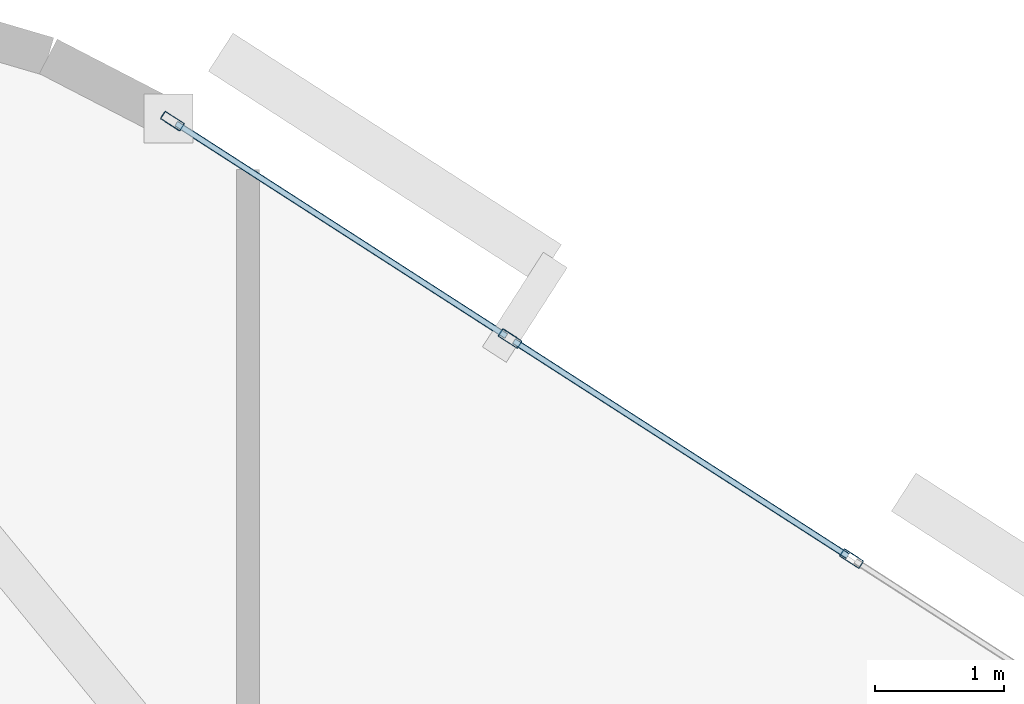
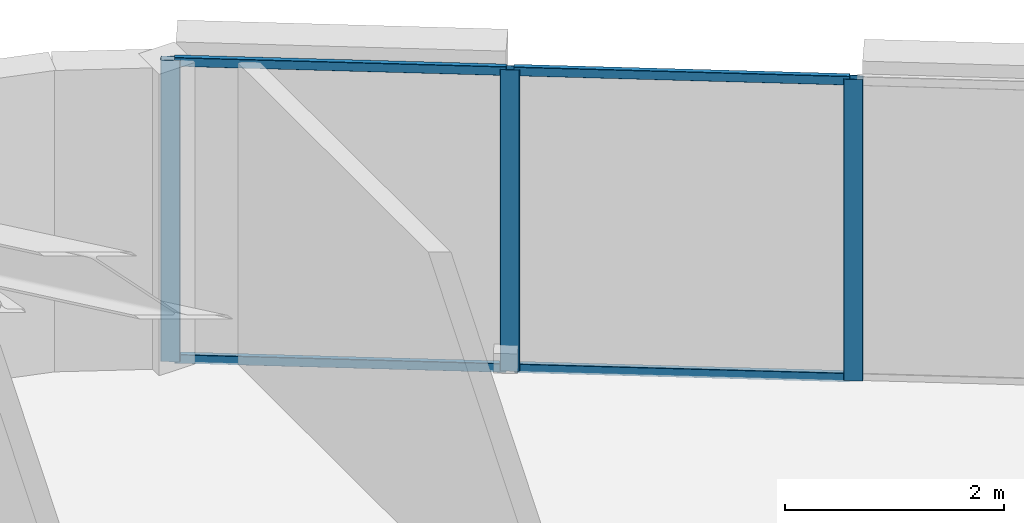
# One storey, part 8 of 15: 7 members, 1 element without a shape of its own.
"""IFC4 building model written with IfcOpenShell, lengths in metres."""

from ifc_helpers import new_model, si_unit, direction, frame, origin, origin_2d, place, context, subcontext, project, spatial, hollow_rectangle, extrude, material, layer, layer_set, material_profile, profile_set, type_object, element, aggregate, save


model = new_model("IFC4")

# Units and contexts
model_context = context("Model", 3, precision=1e-05, world=origin(), true_north=direction((0.0, 1.0)))
body_context = subcontext(model_context, "Body", "Model", "MODEL_VIEW")
ifc_project = project(units=[si_unit("LENGTHUNIT", "METRE"), si_unit("AREAUNIT", "SQUARE_METRE"), si_unit("VOLUMEUNIT", "CUBIC_METRE"), si_unit("PLANEANGLEUNIT", "RADIAN"), si_unit("MASSUNIT", "GRAM", prefix="KILO")], contexts=[model_context])

# Site, building, storey
site_placement = place(None, origin())
site = spatial("IfcSite", under=ifc_project, at=site_placement, CompositionType="ELEMENT")
building_placement = place(site_placement, origin())
building = spatial("IfcBuilding", under=site, at=building_placement, Name="An Khanh Terracotta Commons", CompositionType="ELEMENT")
storey_placement = place(building_placement, frame((0.0, 0.0, 187.0)))
storey = spatial("IfcBuildingStorey", under=building, at=storey_placement, Name="L49", CompositionType="ELEMENT", Elevation=187.0)

# Curtain wall, members
ifc_material = material(Name="Anodised Aluminium 6063-T6", Category="aluminium")
ifc_layer = layer(ifc_material, 0.2099609375, Name="Anodised Aluminium 6063-T6")
ifc_layer_set = layer_set([ifc_layer], Name="Anodised Aluminium 6063-T6")
curtain_wall_type = type_object("IfcCurtainWallType", Name="CW-SYS-03", PredefinedType="USERDEFINED", material=ifc_layer_set)
curtain_wall_placement = place(storey_placement, origin())
curtain_wall = element("IfcCurtainWall", 1, at=curtain_wall_placement, inside=storey, type_object=curtain_wall_type, Name="L49 CW-03 Unitised Curtain Wall CW-L49-16", ObjectType="UNITISED CURTAIN WALL", PredefinedType="USERDEFINED")
ifc_material_profile_1 = material_profile(ifc_material, hollow_rectangle(XDim=0.070068359375, YDim=0.179931640625, WallThickness=0.00390625, InnerFilletRadius=0.00390625, OuterFilletRadius=0.008056640625, at=origin_2d()), Name="RHS180x70x4")
ifc_profile_set_1 = profile_set([ifc_material_profile_1], Name="Anodised Aluminium 6063-T6")
member_type_1 = type_object("IfcMemberType", Name="CWM-RHS180x70x4", PredefinedType="MULLION", material=ifc_profile_set_1)
member_1_placement = place(storey_placement, frame((57.838623046875, 37.52392578125, 0.0), z_axis=(0.0, 0.0, 1.0), x_axis=(-0.541497931062, -0.840702081986, 0.0)))
member_1 = element("IfcMember", 2, at=member_1_placement, type_object=member_type_1, Name="CW-03 mullion 2", PredefinedType="MULLION", context=body_context, shape_type="SweptSolid", body=[
    extrude(hollow_rectangle(XDim=0.070068359375, YDim=0.179931640625, WallThickness=0.00390625, InnerFilletRadius=0.00390625, OuterFilletRadius=0.008056640625, at=origin_2d()), origin(), (0.0, 0.0, 1.0), 3.360107421875),
])
member_2_placement = place(storey_placement, frame((55.19921875, 39.22412109375, 0.0), z_axis=(0.0, 0.0, 1.0), x_axis=(-0.541497931062, -0.840702081986, 0.0)))
member_2 = element("IfcMember", 3, at=member_2_placement, type_object=member_type_1, Name="CW-03 mullion 3", PredefinedType="MULLION", context=body_context, shape_type="SweptSolid", body=[
    extrude(hollow_rectangle(XDim=0.070068359375, YDim=0.179931640625, WallThickness=0.00390625, InnerFilletRadius=0.00390625, OuterFilletRadius=0.008056640625, at=origin_2d()), origin(), (0.0, 0.0, 1.0), 3.360107421875),
])
member_3_placement = place(storey_placement, frame((52.58935546875, 40.905029296875, 0.0), z_axis=(0.0, 0.0, 1.0), x_axis=(-0.541497931062, -0.840702081986, 0.0)))
member_3 = element("IfcMember", 4, at=member_3_placement, type_object=member_type_1, Name="CW-03 mullion 4", PredefinedType="MULLION", context=body_context, shape_type="SweptSolid", body=[
    extrude(hollow_rectangle(XDim=0.070068359375, YDim=0.179931640625, WallThickness=0.00390625, InnerFilletRadius=0.00390625, OuterFilletRadius=0.008056640625, at=origin_2d()), origin(), (0.0, 0.0, 1.0), 3.360107421875),
])
ifc_material_profile_2 = material_profile(ifc_material, hollow_rectangle(XDim=0.050048828125, YDim=0.10009765625, WallThickness=0.003173828125, InnerFilletRadius=0.003173828125, OuterFilletRadius=0.00634765625, at=origin_2d()), Name="RHS100x50x3.2")
ifc_profile_set_2 = profile_set([ifc_material_profile_2], Name="Anodised Aluminium 6063-T6")
member_type_2 = type_object("IfcMemberType", Name="CWT-RHS100x50x3.2", PredefinedType="USERDEFINED", material=ifc_profile_set_2)
member_4_placement = place(storey_placement, frame((57.809326171875, 37.54296875, 0.02490234375), z_axis=(-0.840707825526, 0.54148901383, 0.0), x_axis=(-0.54148901383, -0.840707825526, 0.0)))
member_4 = element("IfcMember", 5, at=member_4_placement, type_object=member_type_2, Name="CW-03 transom 2.1", ObjectType="TRANSOM", PredefinedType="USERDEFINED", context=body_context, shape_type="SweptSolid", body=[
    extrude(hollow_rectangle(XDim=0.050048828125, YDim=0.10009765625, WallThickness=0.003173828125, InnerFilletRadius=0.003173828125, OuterFilletRadius=0.00634765625, at=origin_2d()), origin(), (0.0, 0.0, 1.0), 3.069580078125),
])
member_5_placement = place(storey_placement, frame((57.809326171875, 37.54296875, 3.3349609375), z_axis=(-0.840707825526, 0.54148901383, 0.0), x_axis=(-0.54148901383, -0.840707825526, 0.0)))
member_5 = element("IfcMember", 6, at=member_5_placement, type_object=member_type_2, Name="CW-03 transom 2.2", ObjectType="TRANSOM", PredefinedType="USERDEFINED", context=body_context, shape_type="SweptSolid", body=[
    extrude(hollow_rectangle(XDim=0.050048828125, YDim=0.10009765625, WallThickness=0.003173828125, InnerFilletRadius=0.003173828125, OuterFilletRadius=0.00634765625, at=origin_2d()), origin(), (0.0, 0.0, 1.0), 3.069580078125),
])
member_6_placement = place(storey_placement, frame((55.169921875, 39.242919921875, 0.02490234375), z_axis=(-0.840710223453, 0.541485290826, 0.0), x_axis=(-0.541485290826, -0.840710223453, 0.0)))
member_6 = element("IfcMember", 7, at=member_6_placement, type_object=member_type_2, Name="CW-03 transom 3.1", ObjectType="TRANSOM", PredefinedType="USERDEFINED", context=body_context, shape_type="SweptSolid", body=[
    extrude(hollow_rectangle(XDim=0.050048828125, YDim=0.10009765625, WallThickness=0.003173828125, InnerFilletRadius=0.003173828125, OuterFilletRadius=0.00634765625, at=origin_2d()), origin(), (0.0, 0.0, 1.0), 3.034423828125),
])
member_7_placement = place(storey_placement, frame((55.169921875, 39.242919921875, 3.3349609375), z_axis=(-0.840710223453, 0.541485290826, 0.0), x_axis=(-0.541485290826, -0.840710223453, 0.0)))
member_7 = element("IfcMember", 8, at=member_7_placement, type_object=member_type_2, Name="CW-03 transom 3.2", ObjectType="TRANSOM", PredefinedType="USERDEFINED", context=body_context, shape_type="SweptSolid", body=[
    extrude(hollow_rectangle(XDim=0.050048828125, YDim=0.10009765625, WallThickness=0.003173828125, InnerFilletRadius=0.003173828125, OuterFilletRadius=0.00634765625, at=origin_2d()), origin(), (0.0, 0.0, 1.0), 3.034423828125),
])
aggregate(curtain_wall, [member_1, member_2, member_3, member_4, member_5, member_6, member_7])

save(model, "model.ifc")
